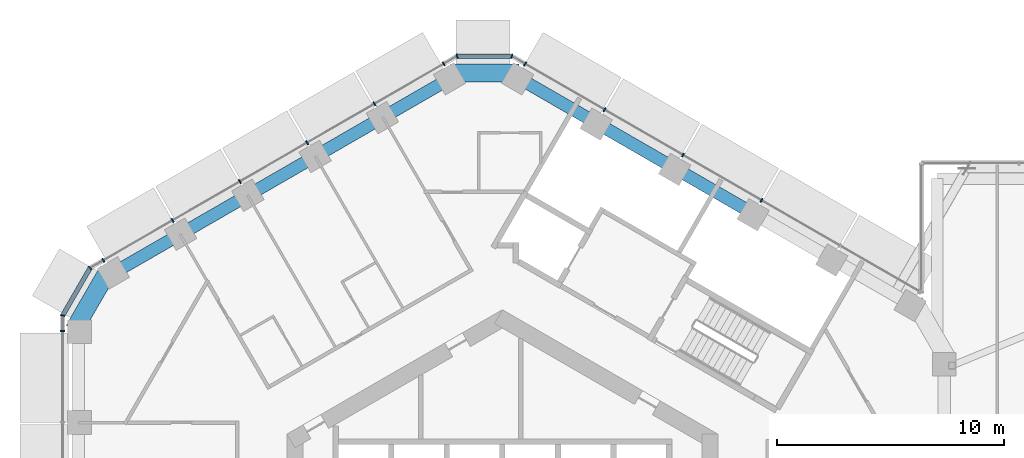
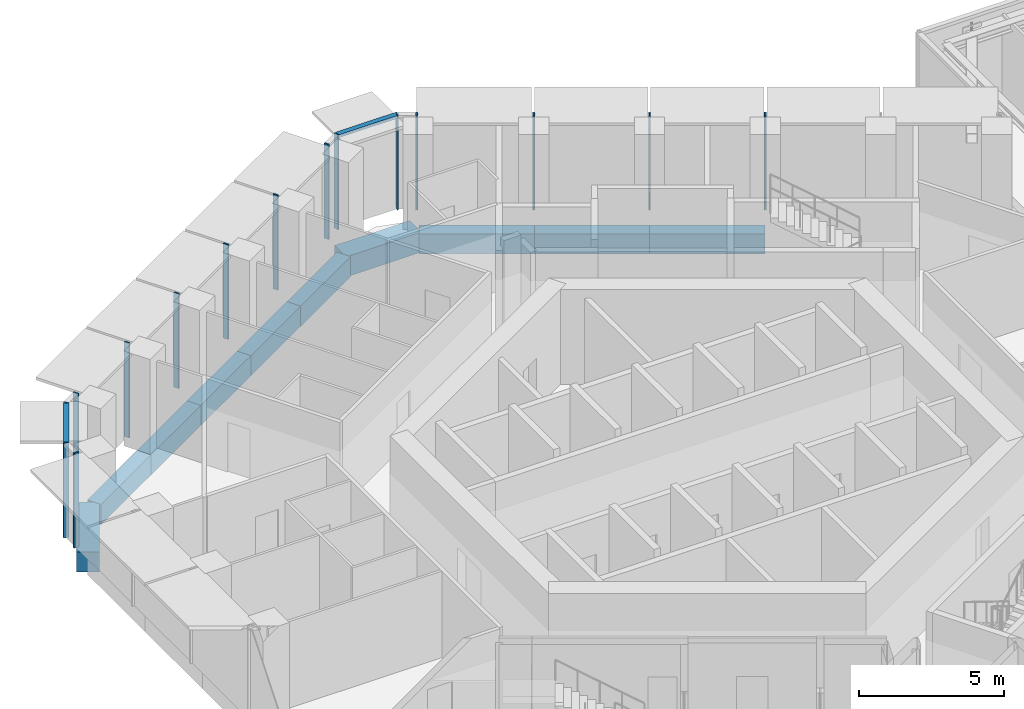
# One storey, part 6 of 24: 17 members, 10 beams, 5 elements without a shape of their own.
"""IFC4 building model written with IfcOpenShell, lengths in metres."""

import ifcopenshell
import ifcopenshell.guid

model = None  # the IFC model being written
_history = None  # IfcOwnerHistory: only IFC2X3 demands one
_inside = {}  # id of a spatial element -> (the spatial element, [elements in it])
_under = {}  # id of a project, library or spatial element -> (it, [spatial elements below it])
_declared = {}  # id of a project -> (the project, [libraries it declares])
_typed = {}  # id of a type object -> (the type object, [elements of that type])
_made_of = {}  # id of a material, layer set ... -> (it, [elements and type objects made of it])


def new_model(schema):
    """Start an empty IFC model of exactly this schema.

    Asked for "IFC4X3", IfcOpenShell would pick the latest addendum, in which some entities
    have other attributes; the version numbers below select the first issue.
    IFC2X3 requires an IfcOwnerHistory on every rooted entity: one is made here for all.
    """
    global model, _history
    if schema == "IFC4X3":
        model = ifcopenshell.file(schema_version=(4, 3, 0, 0))
    else:
        model = ifcopenshell.file(schema=schema)
    _inside.clear()
    _under.clear()
    _declared.clear()
    _typed.clear()
    _made_of.clear()
    _history = None
    if model.schema == "IFC2X3":
        org = make("IfcOrganization", Name="unknown")
        user = make(
            "IfcPersonAndOrganization",
            ThePerson=make("IfcPerson", FamilyName="unknown"),
            TheOrganization=org,
        )
        app = make(
            "IfcApplication",
            ApplicationDeveloper=org,
            Version="unknown",
            ApplicationFullName="unknown",
            ApplicationIdentifier="unknown",
        )
        _history = make(
            "IfcOwnerHistory",
            OwningUser=user,
            OwningApplication=app,
            ChangeAction="ADDED",
            CreationDate=0,
        )
    return model


def make(cls, **values):
    """One entity of the class cls with the attributes given. An attribute that is None is left unset."""
    return model.create_entity(
        cls, **{name: value for name, value in values.items() if value is not None}
    )


def rooted(cls, **values):
    """An entity with a GlobalId (a new one), such as an element, a storey or a relation."""
    return make(cls, GlobalId=ifcopenshell.guid.new(), OwnerHistory=_history, **values)


def si_unit(unit_type, name, prefix=None):
    """IfcSIUnit, for example si_unit("LENGTHUNIT", "METRE", prefix="MILLI")."""
    return make("IfcSIUnit", UnitType=unit_type, Prefix=prefix, Name=name)


def assignment(units):
    """IfcUnitAssignment: the units of a project."""
    return None if units is None else make("IfcUnitAssignment", Units=units)


def point(xyz):
    """IfcCartesianPoint."""
    return None if xyz is None else make("IfcCartesianPoint", Coordinates=xyz)


def direction(xyz):
    """IfcDirection."""
    return None if xyz is None else make("IfcDirection", DirectionRatios=xyz)


def frame(location, z_axis=None, x_axis=None):
    """IfcAxis2Placement3D, a coordinate frame: its origin and axes. An axis left out is left unset."""
    return make(
        "IfcAxis2Placement3D",
        Location=point(location),
        Axis=direction(z_axis),
        RefDirection=direction(x_axis),
    )


def frame_2d(location, x_axis=None):
    """IfcAxis2Placement2D, a coordinate frame in the plane: its origin and x axis."""
    return make(
        "IfcAxis2Placement2D", Location=point(location), RefDirection=direction(x_axis)
    )


def origin():
    """The frame at (0, 0, 0) with its axes left unset."""
    return frame((0.0, 0.0, 0.0))


def origin_2d():
    """The frame at (0, 0) in the plane with its x axis left unset."""
    return frame_2d((0.0, 0.0))


def place(relative_to, where):
    """IfcLocalPlacement: puts the frame where relative to a parent placement (None: the world)."""
    return make(
        "IfcLocalPlacement", PlacementRelTo=relative_to, RelativePlacement=where
    )


def context(
    kind, dimensions, precision=None, world=None, true_north=None, identifier=None
):
    """IfcGeometricRepresentationContext, for example the 3D "Model" context."""
    return make(
        "IfcGeometricRepresentationContext",
        ContextIdentifier=identifier,
        ContextType=kind,
        CoordinateSpaceDimension=dimensions,
        Precision=precision,
        WorldCoordinateSystem=world,
        TrueNorth=true_north,
    )


def subcontext(parent, identifier, kind, view, scale=None):
    """IfcGeometricRepresentationSubContext, for example "Body" below "Model"."""
    return make(
        "IfcGeometricRepresentationSubContext",
        ContextIdentifier=identifier,
        ContextType=kind,
        ParentContext=parent,
        TargetScale=scale,
        TargetView=view,
    )


def project(units=None, contexts=None):
    """IfcProject with its units and contexts."""
    return rooted(
        "IfcProject",
        Name="project",
        RepresentationContexts=contexts,
        UnitsInContext=assignment(units),
    )


def spatial(cls, under=None, at=None, **own):
    """A site, building, storey or space (cls), placed at a placement, below another one or the project."""
    s = rooted(cls, ObjectPlacement=at, **own)
    if under is not None:
        _under.setdefault(under.id(), (under, []))[1].append(s)
    return s


def profile(cls, at=None, kind="AREA", **sizes):
    """A parametric profile (cls). Its sizes go by their IFC names, for example OverallWidth=200.0."""
    return make(cls, ProfileType=kind, Position=at, **sizes)


def rectangle(**sizes):
    """IfcRectangleProfileDef."""
    return profile("IfcRectangleProfileDef", **sizes)


def extrude(swept, where, along, depth):
    """IfcExtrudedAreaSolid: the profile swept, set in the frame where, extruded along a direction by depth."""
    return make(
        "IfcExtrudedAreaSolid",
        SweptArea=swept,
        Position=where,
        ExtrudedDirection=direction(along),
        Depth=depth,
    )


def shape(context_of_items, identifier, shape_type, items):
    """IfcShapeRepresentation: the items that make up one representation, for example the "Body"."""
    return make(
        "IfcShapeRepresentation",
        ContextOfItems=context_of_items,
        RepresentationIdentifier=identifier,
        RepresentationType=shape_type,
        Items=items,
    )


def material(Name=None, Category=None):
    """IfcMaterial."""
    return make("IfcMaterial", Name=Name, Category=Category)


def layer(
    of_material, thickness, ventilated=None, Name=None, Category=None, Priority=None
):
    """IfcMaterialLayer: one layer of a wall or slab, of a material (None: an air gap)."""
    return make(
        "IfcMaterialLayer",
        Material=of_material,
        LayerThickness=thickness,
        IsVentilated=ventilated,
        Name=Name,
        Category=Category,
        Priority=Priority,
    )


def layer_set(layers, Name=None):
    """IfcMaterialLayerSet."""
    return make("IfcMaterialLayerSet", MaterialLayers=layers, LayerSetName=Name)


def material_profile(
    of_material, cross_section, Name=None, Category=None, Priority=None
):
    """IfcMaterialProfile: a cross section and its material."""
    return make(
        "IfcMaterialProfile",
        Name=Name,
        Material=of_material,
        Profile=cross_section,
        Priority=Priority,
        Category=Category,
    )


def profile_set(profiles, Name=None, composite=None):
    """IfcMaterialProfileSet."""
    return make(
        "IfcMaterialProfileSet",
        Name=Name,
        MaterialProfiles=profiles,
        CompositeProfile=composite,
    )


def made_of(thing, what):
    """Note that an element or type object is made of a material, layer set ...; save() writes the relation."""
    if what is not None:
        _made_of.setdefault(what.id(), (what, []))[1].append(thing)
    return thing


def type_object(cls, material=None, **own):
    """A type object (cls), such as IfcWallType, which elements share."""
    return made_of(rooted(cls, **own), material)


def element(
    cls,
    number,
    at=None,
    inside=None,
    cuts=None,
    type_object=None,
    material=None,
    context=None,
    identifier="Body",
    shape_type=None,
    held_by="IfcProductDefinitionShape",
    body=None,
    shapes=None,
    **own,
):
    """One element of the class cls, such as IfcWall. Its Tag is "e" and its number.

    at: its placement. inside: the storey or other place that contains it. cuts: it is an
    opening in that element (IfcRelVoidsElement). A single representation is given by context,
    identifier, shape_type and body (its items); several are given by shapes. held_by: the class
    of the entity that holds the representations. save() writes the other relations.
    """
    e = rooted(cls, Tag="e%d" % number, ObjectPlacement=at, **own)
    if body is not None:
        shapes = [shape(context, identifier, shape_type, body)]
    if shapes is not None:
        e.Representation = make(held_by, Representations=shapes)
    if inside is not None:
        _inside.setdefault(inside.id(), (inside, []))[1].append(e)
    if cuts is not None:
        rooted(
            "IfcRelVoidsElement", RelatingBuildingElement=cuts, RelatedOpeningElement=e
        )
    if type_object is not None:
        _typed.setdefault(type_object.id(), (type_object, []))[1].append(e)
    return made_of(e, material)


def aggregate(whole, parts):
    """IfcRelAggregates: a whole, such as a stair, and the parts it consists of."""
    return rooted("IfcRelAggregates", RelatingObject=whole, RelatedObjects=parts)


def save(model, path):
    """Write the relations noted so far, then the file.

    IfcRelAggregates (storeys below a building ...), IfcRelContainedInSpatialStructure (elements
    in a storey), IfcRelDefinesByType, IfcRelAssociatesMaterial and IfcRelDeclares: one each for
    every whole, place, type object, material and project.
    """
    for whole, parts in _under.values():
        aggregate(whole, parts)
    for where, things in _inside.values():
        rooted(
            "IfcRelContainedInSpatialStructure",
            RelatedElements=things,
            RelatingStructure=where,
        )
    for kind, things in _typed.values():
        rooted("IfcRelDefinesByType", RelatedObjects=things, RelatingType=kind)
    for what, things in _made_of.values():
        rooted("IfcRelAssociatesMaterial", RelatedObjects=things, RelatingMaterial=what)
    for by, libraries in _declared.values():
        rooted("IfcRelDeclares", RelatingContext=by, RelatedDefinitions=libraries)
    model.write(path)


model = new_model("IFC4")

# Units and contexts
model_context = context("Model", 3, precision=1e-05, world=origin(), true_north=direction((0.0, 1.0)))
body_context = subcontext(model_context, "Body", "Model", "MODEL_VIEW")
ifc_project = project(units=[si_unit("LENGTHUNIT", "METRE"), si_unit("AREAUNIT", "SQUARE_METRE"), si_unit("VOLUMEUNIT", "CUBIC_METRE"), si_unit("PLANEANGLEUNIT", "RADIAN"), si_unit("MASSUNIT", "GRAM", prefix="KILO")], contexts=[model_context])

# Site, building, storey
site_placement = place(None, origin())
site = spatial("IfcSite", under=ifc_project, at=site_placement, CompositionType="ELEMENT")
building_placement = place(site_placement, origin())
building = spatial("IfcBuilding", under=site, at=building_placement, Name="Ayvan Gate Tower", CompositionType="ELEMENT")
storey_placement = place(building_placement, frame((0.0, 0.0, 128.5)))
storey = spatial("IfcBuildingStorey", under=building, at=storey_placement, Name="L34", CompositionType="ELEMENT", Elevation=128.5)

# Beams
ifc_material_1 = material(Name="Concrete C40/50", Category="concrete")
ifc_material_profile_1 = material_profile(ifc_material_1, rectangle(XDim=0.800048828125, YDim=0.85009765625, at=origin_2d()), Name="RC 800x850")
ifc_profile_set_1 = profile_set([ifc_material_profile_1], Name="Concrete C40/50")
beam_type_1 = type_object("IfcBeamType", Name="Corner spandrel beam RC 800x850 C40/50", PredefinedType="BEAM", material=ifc_profile_set_1)
for number, where, z_axis, x_axis, name in (
    (1, (0.721923828125, 21.40478515625, -0.824951171875), (-1.0, 0.0, 0.0), (0.0, -1.0, 0.0), "SB-L34-12"),
    (2, (-17.39794921875, 12.67529296875, -0.824951171875), (-0.499990139034, -0.866031096941, 0.0), (0.866031096941, -0.499990139034, 0.0), "SB-L34-18"),
):
    element("IfcBeam", number, at=place(storey_placement, frame(where, z_axis=z_axis, x_axis=x_axis)), inside=storey, type_object=beam_type_1, Name=name, PredefinedType="BEAM", context=body_context, shape_type="SweptSolid", body=[
        extrude(rectangle(XDim=0.800048828125, YDim=0.85009765625, at=origin_2d()), origin(), (0.0, 0.0, 1.0), 3.0),
    ])
ifc_material_profile_2 = material_profile(ifc_material_1, rectangle(XDim=0.550048828125, YDim=0.85009765625, at=origin_2d()), Name="RC 550x850")
ifc_profile_set_2 = profile_set([ifc_material_profile_2], Name="Concrete C40/50")
beam_type_2 = type_object("IfcBeamType", Name="Spandrel beam RC 550x850 C40/50", PredefinedType="BEAM", material=ifc_profile_set_2)
beam_1_placement = place(storey_placement, frame((11.080078125, 15.204345703125, -0.824951171875), z_axis=(-0.865995903571, 0.500051092388, 0.0), x_axis=(-0.500051092388, -0.865995903571, 0.0)))
element("IfcBeam", 3, at=beam_1_placement, inside=storey, type_object=beam_type_2, Name="SB-L34-9", PredefinedType="BEAM", context=body_context, shape_type="SweptSolid", body=[
    extrude(rectangle(XDim=0.550048828125, YDim=0.85009765625, at=origin_2d()), origin(), (0.0, 0.0, 1.0), 3.98681640625),
])
beam_2_placement = place(storey_placement, frame((7.62744140625, 17.197998046875, -0.824951171875), z_axis=(-0.86603772933, 0.499978650921, 0.0), x_axis=(-0.499978650921, -0.86603772933, 0.0)))
element("IfcBeam", 4, at=beam_2_placement, inside=storey, type_object=beam_type_2, Name="SB-L34-10", PredefinedType="BEAM", context=body_context, shape_type="SweptSolid", body=[
    extrude(rectangle(XDim=0.550048828125, YDim=0.85009765625, at=origin_2d()), origin(), (0.0, 0.0, 1.0), 3.987060546875),
])
beam_3_placement = place(storey_placement, frame((4.174560546875, 19.19140625, -0.824951171875), z_axis=(-0.866022420826, 0.500005166599, 0.0), x_axis=(-0.500005166599, -0.866022420826, 0.0)))
element("IfcBeam", 5, at=beam_3_placement, inside=storey, type_object=beam_type_2, Name="SB-L34-11", PredefinedType="BEAM", context=body_context, shape_type="SweptSolid", body=[
    extrude(rectangle(XDim=0.550048828125, YDim=0.85009765625, at=origin_2d()), origin(), (0.0, 0.0, 1.0), 3.98681640625),
])
for number, where, z_axis, x_axis, name in (
    (6, (-2.278076171875, 21.184814453125, -0.824951171875), (-0.866025213439, -0.500000329688, 0.0), (0.500000329688, -0.866025213439, 0.0), "SB-L34-13"),
    (7, (-5.263916015625, 19.4609375, -0.824951171875), (-0.866025213439, -0.500000329688, 0.0), (0.500000329688, -0.866025213439, 0.0), "SB-L34-14"),
):
    element("IfcBeam", number, at=place(storey_placement, frame(where, z_axis=z_axis, x_axis=x_axis)), inside=storey, type_object=beam_type_2, Name=name, PredefinedType="BEAM", context=body_context, shape_type="SweptSolid", body=[
        extrude(rectangle(XDim=0.550048828125, YDim=0.85009765625, at=origin_2d()), origin(), (0.0, 0.0, 1.0), 3.44775390625),
    ])
beam_4_placement = place(storey_placement, frame((-8.249755859375, 17.737060546875, -0.824951171875), z_axis=(-0.866012254999, -0.500022773673, 0.0), x_axis=(0.500022773673, -0.866012254999, 0.0)))
element("IfcBeam", 8, at=beam_4_placement, inside=storey, type_object=beam_type_2, Name="SB-L34-15", PredefinedType="BEAM", context=body_context, shape_type="SweptSolid", body=[
    extrude(rectangle(XDim=0.550048828125, YDim=0.85009765625, at=origin_2d()), origin(), (0.0, 0.0, 1.0), 3.447998046875),
])
for number, where, z_axis, x_axis, name in (
    (9, (-11.23583984375, 16.012939453125, -0.824951171875), (-0.866025213439, -0.500000329688, 0.0), (0.500000329688, -0.866025213439, 0.0), "SB-L34-16"),
    (10, (-14.2216796875, 14.2890625, -0.824951171875), (-0.866025213439, -0.500000329688, 0.0), (0.500000329688, -0.866025213439, 0.0), "SB-L34-17"),
):
    element("IfcBeam", number, at=place(storey_placement, frame(where, z_axis=z_axis, x_axis=x_axis)), inside=storey, type_object=beam_type_2, Name=name, PredefinedType="BEAM", context=body_context, shape_type="SweptSolid", body=[
        extrude(rectangle(XDim=0.550048828125, YDim=0.85009765625, at=origin_2d()), origin(), (0.0, 0.0, 1.0), 3.44775390625),
    ])

# Curtain wall, members
ifc_material_2 = material(Name="Bronze anodised aluminium", Category="aluminium")
ifc_layer_1 = layer(ifc_material_2, 0.199951171875)
ifc_layer_set_1 = layer_set([ifc_layer_1], Name="Bronze anodised aluminium")
curtain_wall_type_1 = type_object("IfcCurtainWallType", Name="Stick curtain wall CW-1", PredefinedType="NOTDEFINED", material=ifc_layer_set_1)
curtain_wall_1_placement = place(storey_placement, origin())
curtain_wall_1 = element("IfcCurtainWall", 11, at=curtain_wall_1_placement, inside=storey, type_object=curtain_wall_type_1, Name="Stick curtain wall CW-1 L34", PredefinedType="NOTDEFINED")
ifc_material_profile_3 = material_profile(ifc_material_2, rectangle(XDim=0.199951171875, YDim=0.06005859375, at=origin_2d()), Name="Stick curtain wall CW-1 mullion 200 x 60")
ifc_profile_set_3 = profile_set([ifc_material_profile_3], Name="Bronze anodised aluminium")
member_type_1 = type_object("IfcMemberType", Name="Stick curtain wall CW-1 mullion 200 x 60", PredefinedType="MULLION", material=ifc_profile_set_3)
member_1_placement = place(storey_placement, frame((11.427490234375, 15.795654296875, 0.0), z_axis=(0.0, 0.0, 1.0), x_axis=(0.5, 0.866025403784, 0.0)))
member_1 = element("IfcMember", 12, at=member_1_placement, type_object=member_type_1, Name="CW-1 mullion 3", PredefinedType="MULLION", context=body_context, shape_type="SweptSolid", body=[
    extrude(rectangle(XDim=0.199951171875, YDim=0.06005859375, at=origin_2d()), origin(), (0.0, 0.0, 1.0), 4.0),
])
member_2_placement = place(storey_placement, frame((7.965087890625, 17.794677734375, 0.0), z_axis=(0.0, 0.0, 1.0), x_axis=(0.5, 0.866025403784, 0.0)))
member_2 = element("IfcMember", 13, at=member_2_placement, type_object=member_type_1, Name="CW-1 mullion 4", PredefinedType="MULLION", context=body_context, shape_type="SweptSolid", body=[
    extrude(rectangle(XDim=0.199951171875, YDim=0.06005859375, at=origin_2d()), origin(), (0.0, 0.0, 1.0), 4.0),
])
member_3_placement = place(storey_placement, frame((4.502685546875, 19.793701171875, 0.0), z_axis=(0.0, 0.0, 1.0), x_axis=(0.5, 0.866025403784, 0.0)))
member_3 = element("IfcMember", 14, at=member_3_placement, type_object=member_type_1, Name="CW-1 mullion 5", PredefinedType="MULLION", context=body_context, shape_type="SweptSolid", body=[
    extrude(rectangle(XDim=0.199951171875, YDim=0.06005859375, at=origin_2d()), origin(), (0.0, 0.0, 1.0), 4.0),
])
member_4_placement = place(storey_placement, frame((1.003662109375, 21.813720703125, 0.0), z_axis=(0.0, 0.0, 1.0), x_axis=(0.5, 0.866025403784, 0.0)))
member_4 = element("IfcMember", 15, at=member_4_placement, type_object=member_type_1, Name="CW-1 mullion 6", PredefinedType="MULLION", context=body_context, shape_type="SweptSolid", body=[
    extrude(rectangle(XDim=0.199951171875, YDim=0.06005859375, at=origin_2d()), origin(), (0.0, 0.0, 1.0), 4.0),
])
aggregate(curtain_wall_1, [member_1, member_2, member_3, member_4])

curtain_wall_2_placement = place(storey_placement, origin())
curtain_wall_2 = element("IfcCurtainWall", 16, at=curtain_wall_2_placement, inside=storey, type_object=curtain_wall_type_1, Name="Stick curtain wall CW-1 L34", PredefinedType="NOTDEFINED")
member_5_placement = place(storey_placement, frame((-2.588623046875, 21.813720703125, 0.0), z_axis=(0.0, 0.0, 1.0), x_axis=(-0.5, 0.866025403784, 0.0)))
member_5 = element("IfcMember", 17, at=member_5_placement, type_object=member_type_1, Name="CW-1 mullion 1", PredefinedType="MULLION", context=body_context, shape_type="SweptSolid", body=[
    extrude(rectangle(XDim=0.199951171875, YDim=0.06005859375, at=origin_2d()), origin(), (0.0, 0.0, 1.0), 4.0),
])
member_6_placement = place(storey_placement, frame((-5.64404296875, 20.0498046875, 0.0), z_axis=(0.0, 0.0, 1.0), x_axis=(-0.5, 0.866025403784, 0.0)))
member_6 = element("IfcMember", 18, at=member_6_placement, type_object=member_type_1, Name="CW-1 mullion 2", PredefinedType="MULLION", context=body_context, shape_type="SweptSolid", body=[
    extrude(rectangle(XDim=0.199951171875, YDim=0.06005859375, at=origin_2d()), origin(), (0.0, 0.0, 1.0), 4.0),
])
member_7_placement = place(storey_placement, frame((-8.610107421875, 18.337158203125, 0.0), z_axis=(0.0, 0.0, 1.0), x_axis=(-0.5, 0.866025403784, 0.0)))
member_7 = element("IfcMember", 19, at=member_7_placement, type_object=member_type_1, Name="CW-1 mullion 3", PredefinedType="MULLION", context=body_context, shape_type="SweptSolid", body=[
    extrude(rectangle(XDim=0.199951171875, YDim=0.06005859375, at=origin_2d()), origin(), (0.0, 0.0, 1.0), 4.0),
])
member_8_placement = place(storey_placement, frame((-11.576171875, 16.624755859375, 0.0), z_axis=(0.0, 0.0, 1.0), x_axis=(-0.5, 0.866025403784, 0.0)))
member_8 = element("IfcMember", 20, at=member_8_placement, type_object=member_type_1, Name="CW-1 mullion 4", PredefinedType="MULLION", context=body_context, shape_type="SweptSolid", body=[
    extrude(rectangle(XDim=0.199951171875, YDim=0.06005859375, at=origin_2d()), origin(), (0.0, 0.0, 1.0), 4.0),
])
member_9_placement = place(storey_placement, frame((-14.54248046875, 14.912353515625, 0.0), z_axis=(0.0, 0.0, 1.0), x_axis=(-0.5, 0.866025403784, 0.0)))
member_9 = element("IfcMember", 21, at=member_9_placement, type_object=member_type_1, Name="CW-1 mullion 5", PredefinedType="MULLION", context=body_context, shape_type="SweptSolid", body=[
    extrude(rectangle(XDim=0.199951171875, YDim=0.06005859375, at=origin_2d()), origin(), (0.0, 0.0, 1.0), 4.0),
])
member_10_placement = place(storey_placement, frame((-17.596923828125, 13.148681640625, 0.0), z_axis=(0.0, 0.0, 1.0), x_axis=(-0.5, 0.866025403784, 0.0)))
member_10 = element("IfcMember", 22, at=member_10_placement, type_object=member_type_1, Name="CW-1 mullion 6", PredefinedType="MULLION", context=body_context, shape_type="SweptSolid", body=[
    extrude(rectangle(XDim=0.199951171875, YDim=0.06005859375, at=origin_2d()), origin(), (0.0, 0.0, 1.0), 4.0),
])
aggregate(curtain_wall_2, [member_5, member_6, member_7, member_8, member_9, member_10])

# Curtain wall, member
curtain_wall_3_placement = place(storey_placement, origin())
curtain_wall_3 = element("IfcCurtainWall", 23, at=curtain_wall_3_placement, inside=storey, type_object=curtain_wall_type_1, Name="Stick curtain wall CW-1 L34", PredefinedType="NOTDEFINED")
member_11_placement = place(storey_placement, frame((-19.39306640625, 10.03759765625, 0.0), z_axis=(0.0, 0.0, 1.0), x_axis=(-1.0, 0.0, 0.0)))
member_11 = element("IfcMember", 24, at=member_11_placement, type_object=member_type_1, Name="CW-1 mullion 1", PredefinedType="MULLION", context=body_context, shape_type="SweptSolid", body=[
    extrude(rectangle(XDim=0.199951171875, YDim=0.06005859375, at=origin_2d()), origin(), (0.0, 0.0, 1.0), 4.0),
])
aggregate(curtain_wall_3, [member_11])

# Curtain wall, members
ifc_layer_2 = layer(ifc_material_2, 0.199951171875)
ifc_layer_set_2 = layer_set([ifc_layer_2], Name="Bronze anodised aluminium")
curtain_wall_type_2 = type_object("IfcCurtainWallType", Name="Stick curtain wall CW-6", PredefinedType="NOTDEFINED", material=ifc_layer_set_2)
curtain_wall_4_placement = place(storey_placement, origin())
curtain_wall_4 = element("IfcCurtainWall", 25, at=curtain_wall_4_placement, inside=storey, type_object=curtain_wall_type_2, Name="Stick curtain wall CW-6 L34", PredefinedType="NOTDEFINED")
ifc_material_profile_4 = material_profile(ifc_material_2, rectangle(XDim=0.199951171875, YDim=0.050048828125, at=origin_2d()), Name="Stick curtain wall CW-6 mullion 200 x 50")
ifc_profile_set_4 = profile_set([ifc_material_profile_4], Name="Bronze anodised aluminium")
member_type_2 = type_object("IfcMemberType", Name="Stick curtain wall CW-6 mullion 200 x 50", PredefinedType="MULLION", material=ifc_profile_set_4)
member_12_placement = place(storey_placement, frame((0.414794921875, 22.15380859375, 0.0), z_axis=(0.0, 0.0, 1.0), x_axis=(0.258819045103, 0.965925826289, 0.0)))
member_12 = element("IfcMember", 26, at=member_12_placement, type_object=member_type_2, Name="CW-6 mullion 2", PredefinedType="MULLION", context=body_context, shape_type="SweptSolid", body=[
    extrude(rectangle(XDim=0.199951171875, YDim=0.050048828125, at=origin_2d()), origin(), (0.0, 0.0, 1.0), 4.0),
])
member_13_placement = place(storey_placement, frame((-1.999755859375, 22.15380859375, 0.0), z_axis=(0.0, 0.0, 1.0), x_axis=(-0.258819045103, 0.965925826289, 0.0)))
member_13 = element("IfcMember", 27, at=member_13_placement, type_object=member_type_2, Name="CW-6 mullion 3", PredefinedType="MULLION", context=body_context, shape_type="SweptSolid", body=[
    extrude(rectangle(XDim=0.199951171875, YDim=0.050048828125, at=origin_2d()), origin(), (0.0, 0.0, 1.0), 4.0),
])

curtain_wall_5_placement = place(storey_placement, origin())
curtain_wall_5 = element("IfcCurtainWall", 28, at=curtain_wall_5_placement, inside=storey, type_object=curtain_wall_type_2, Name="Stick curtain wall CW-6 L34", PredefinedType="NOTDEFINED")
member_14_placement = place(storey_placement, frame((-18.185791015625, 12.80859375, 0.0), z_axis=(0.0, 0.0, 1.0), x_axis=(-0.707106781187, 0.707106781187, 0.0)))
member_14 = element("IfcMember", 29, at=member_14_placement, type_object=member_type_2, Name="CW-6 mullion 2", PredefinedType="MULLION", context=body_context, shape_type="SweptSolid", body=[
    extrude(rectangle(XDim=0.199951171875, YDim=0.050048828125, at=origin_2d()), origin(), (0.0, 0.0, 1.0), 4.0),
])
member_15_placement = place(storey_placement, frame((-19.39306640625, 10.717529296875, 0.0), z_axis=(0.0, 0.0, 1.0), x_axis=(-0.965925826289, 0.258819045103, 0.0)))
member_15 = element("IfcMember", 30, at=member_15_placement, type_object=member_type_2, Name="CW-6 mullion 3", PredefinedType="MULLION", context=body_context, shape_type="SweptSolid", body=[
    extrude(rectangle(XDim=0.199951171875, YDim=0.050048828125, at=origin_2d()), origin(), (0.0, 0.0, 1.0), 4.0),
])

# Member
ifc_material_profile_5 = material_profile(ifc_material_2, rectangle(XDim=0.199951171875, YDim=0.1201171875, at=origin_2d()), Name="Stick curtain wall CW-6 transom 200 x 120")
ifc_profile_set_5 = profile_set([ifc_material_profile_5], Name="Bronze anodised aluminium")
member_type_3 = type_object("IfcMemberType", Name="Stick curtain wall CW-6 transom 200 x 120", PredefinedType="USERDEFINED", material=ifc_profile_set_5)
member_16_placement = place(storey_placement, frame((0.389892578125, 22.15380859375, 3.93994140625), z_axis=(-1.0, 0.0, 0.0), x_axis=(0.0, -1.0, 0.0)))
member_16 = element("IfcMember", 31, at=member_16_placement, type_object=member_type_3, Name="CW-6 transom 2", ObjectType="TRANSOM", PredefinedType="USERDEFINED", context=body_context, shape_type="SweptSolid", body=[
    extrude(rectangle(XDim=0.199951171875, YDim=0.1201171875, at=origin_2d()), origin(), (0.0, 0.0, 1.0), 2.36474609375),
])

aggregate(curtain_wall_4, [member_12, member_13, member_16])

member_17_placement = place(storey_placement, frame((-18.1982421875, 12.787109375, 3.93994140625), z_axis=(-0.500014398087, -0.866017090885, 0.0), x_axis=(0.866017090885, -0.500014398087, 0.0)))
member_17 = element("IfcMember", 32, at=member_17_placement, type_object=member_type_3, Name="CW-6 transom 2", ObjectType="TRANSOM", PredefinedType="USERDEFINED", context=body_context, shape_type="SweptSolid", body=[
    extrude(rectangle(XDim=0.199951171875, YDim=0.1201171875, at=origin_2d()), origin(), (0.0, 0.0, 1.0), 2.36474609375),
])

aggregate(curtain_wall_5, [member_14, member_15, member_17])

save(model, "model.ifc")
